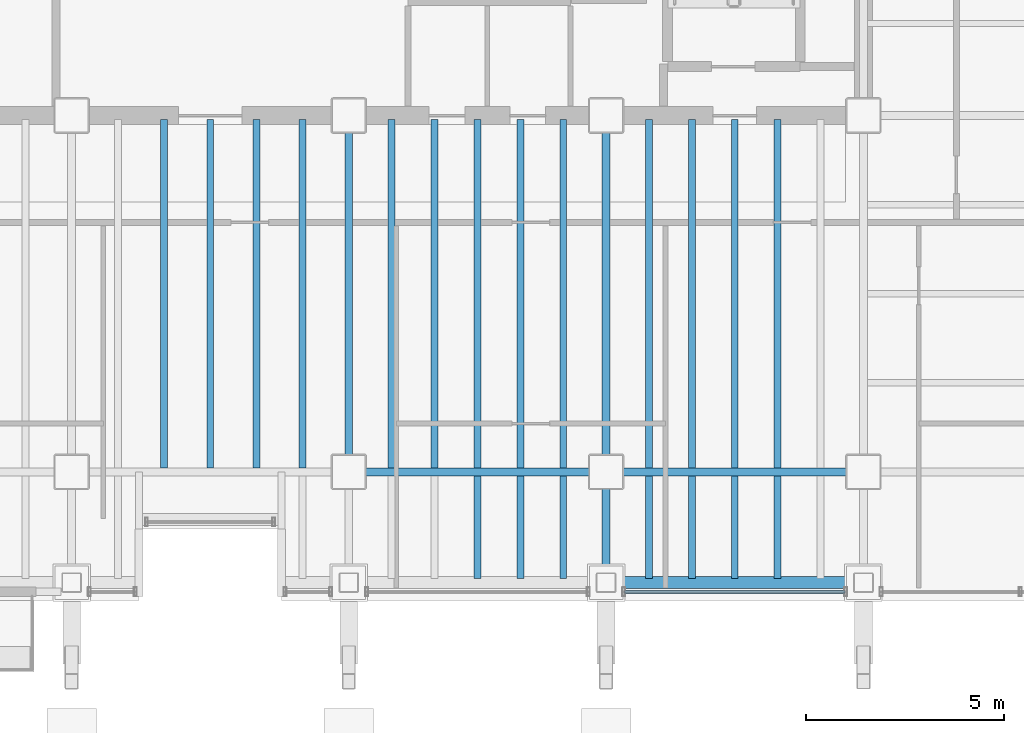
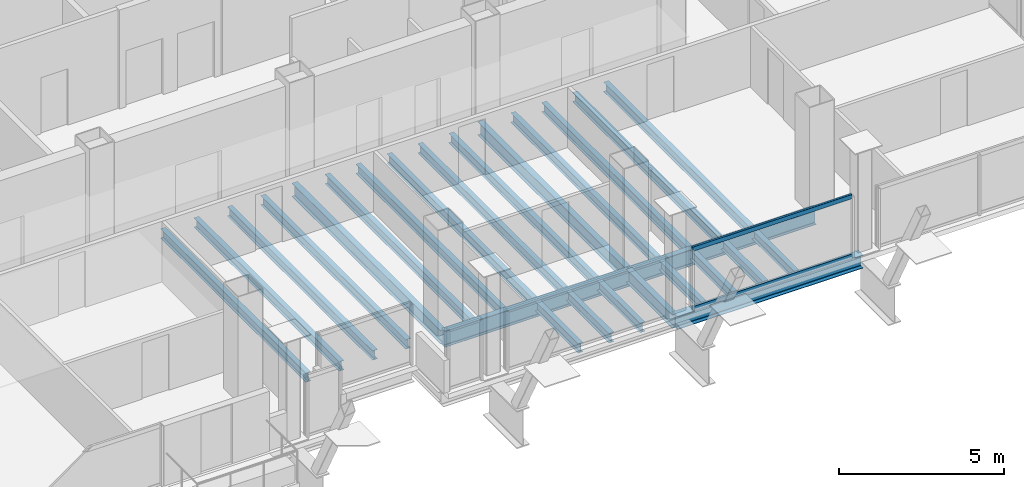
# One storey, part 5 of 16: 26 beams, 2 members, 1 element without a shape of its own.
"""IFC4 building model written with IfcOpenShell, lengths in metres."""

from ifc_helpers import new_model, si_unit, direction, frame, origin, origin_2d, place, context, subcontext, project, spatial, hollow_rectangle, i_section, extrude, material, material_profile, profile_set, type_object, element, aggregate, save


model = new_model("IFC4")

# Units and contexts
model_context = context("Model", 3, precision=1e-05, world=origin(), true_north=direction((0.0, 1.0)))
body_context = subcontext(model_context, "Body", "Model", "MODEL_VIEW")
ifc_project = project(units=[si_unit("LENGTHUNIT", "METRE"), si_unit("AREAUNIT", "SQUARE_METRE"), si_unit("VOLUMEUNIT", "CUBIC_METRE"), si_unit("PLANEANGLEUNIT", "RADIAN"), si_unit("MASSUNIT", "GRAM", prefix="KILO")], contexts=[model_context])

# Site, building, storey
site_placement = place(None, origin())
site = spatial("IfcSite", under=ifc_project, at=site_placement, CompositionType="ELEMENT")
building_placement = place(site_placement, origin())
building = spatial("IfcBuilding", under=site, at=building_placement, Name="Noeulbin Bourse Tower", CompositionType="ELEMENT")
storey_placement = place(building_placement, frame((0.0, 0.0, 192.89990234375)))
storey = spatial("IfcBuildingStorey", under=building, at=storey_placement, Name="L48", CompositionType="ELEMENT", Elevation=192.89990234375)

# Beams
ifc_material_1 = material(Name="Steel S355", Category="steel")
ifc_material_profile_1 = material_profile(ifc_material_1, i_section(OverallWidth=0.199951171875, OverallDepth=0.5, WebThickness=0.010009765625, FlangeThickness=0.01611328125, FilletRadius=0.02001953125, at=origin_2d()), Name="H-500x200x10x16", Category="LoadBearing")
ifc_profile_set_1 = profile_set([ifc_material_profile_1], Name="Steel S355")
beam_type_1 = type_object("IfcBeamType", Name="BM-GRD-500", PredefinedType="USERDEFINED", material=ifc_profile_set_1)
beam_1_placement = place(storey_placement, frame((31.0, 20.0, -0.429931640625), z_axis=(0.0, 1.0, 0.0), x_axis=(-1.0, 0.0, 0.0)))
element("IfcBeam", 1, at=beam_1_placement, inside=storey, type_object=beam_type_1, Name="Tower Primary Girder NS L48-3.2", ObjectType="GIRDER", PredefinedType="USERDEFINED", context=body_context, shape_type="SweptSolid", body=[
    extrude(i_section(OverallWidth=0.199951171875, OverallDepth=0.5, WebThickness=0.010009765625, FlangeThickness=0.01611328125, FilletRadius=0.02001953125, at=origin_2d()), origin(), (0.0, 0.0, 1.0), 9.0),
])
beam_2_placement = place(storey_placement, frame((37.5, 17.199951171875, -0.429931640625), z_axis=(0.0, 1.0, 0.0), x_axis=(-1.0, 0.0, 0.0)))
element("IfcBeam", 2, at=beam_2_placement, inside=storey, type_object=beam_type_1, Name="Tower Primary Girder NS L48-4.1", ObjectType="GIRDER", PredefinedType="USERDEFINED", context=body_context, shape_type="SweptSolid", body=[
    extrude(i_section(OverallWidth=0.199951171875, OverallDepth=0.5, WebThickness=0.010009765625, FlangeThickness=0.01611328125, FilletRadius=0.02001953125, at=origin_2d()), origin(), (0.0, 0.0, 1.0), 2.800048828125),
])
beam_3_placement = place(storey_placement, frame((37.5, 20.0, -0.429931640625), z_axis=(0.0, 1.0, 0.0), x_axis=(-1.0, 0.0, 0.0)))
element("IfcBeam", 3, at=beam_3_placement, inside=storey, type_object=beam_type_1, Name="Tower Primary Girder NS L48-4.2", ObjectType="GIRDER", PredefinedType="USERDEFINED", context=body_context, shape_type="SweptSolid", body=[
    extrude(i_section(OverallWidth=0.199951171875, OverallDepth=0.5, WebThickness=0.010009765625, FlangeThickness=0.01611328125, FilletRadius=0.02001953125, at=origin_2d()), origin(), (0.0, 0.0, 1.0), 9.0),
])
ifc_material_profile_2 = material_profile(ifc_material_1, i_section(OverallWidth=0.199951171875, OverallDepth=0.60009765625, WebThickness=0.010986328125, FlangeThickness=0.01708984375, FilletRadius=0.02197265625, at=origin_2d()), Name="H-600x200x11x17", Category="LoadBearing")
ifc_profile_set_2 = profile_set([ifc_material_profile_2], Name="Steel S355")
beam_type_2 = type_object("IfcBeamType", Name="BM-GRD-600", PredefinedType="USERDEFINED", material=ifc_profile_set_2)
for number, where, z_axis, x_axis, name in (
    (4, (31.0, 20.0, -0.47998046875), (1.0, 0.0, 0.0), (0.0, 1.0, 0.0), "Tower Primary Girder EW L48-1.4"),
    (5, (37.5, 20.0, -0.47998046875), (1.0, 0.0, 0.0), (0.0, 1.0, 0.0), "Tower Primary Girder EW L48-1.5"),
):
    element("IfcBeam", number, at=place(storey_placement, frame(where, z_axis=z_axis, x_axis=x_axis)), inside=storey, type_object=beam_type_2, Name=name, ObjectType="GIRDER", PredefinedType="USERDEFINED", context=body_context, shape_type="SweptSolid", body=[
        extrude(i_section(OverallWidth=0.199951171875, OverallDepth=0.60009765625, WebThickness=0.010986328125, FlangeThickness=0.01708984375, FilletRadius=0.02197265625, at=origin_2d()), origin(), (0.0, 0.0, 1.0), 6.5),
    ])
ifc_material_profile_3 = material_profile(ifc_material_1, i_section(OverallWidth=0.175048828125, OverallDepth=0.35009765625, WebThickness=0.007080078125, FlangeThickness=0.010986328125, FilletRadius=0.013916015625, at=origin_2d()), Name="H-350x175x7x11", Category="LoadBearing")
ifc_profile_set_3 = profile_set([ifc_material_profile_3], Name="Steel S355")
beam_type_3 = type_object("IfcBeamType", Name="BM-JST-350", PredefinedType="JOIST", material=ifc_profile_set_3)
for number, where, z_axis, x_axis, name in (
    (6, (26.333251953125, 20.10009765625, -0.35498046875), (0.0, 1.0, 0.0), (-1.0, 0.0, 0.0), "Tower Composite Joist L48-28"),
    (7, (27.5, 20.10009765625, -0.35498046875), (0.0, 1.0, 0.0), (-1.0, 0.0, 0.0), "Tower Composite Joist L48-30"),
    (8, (28.666748046875, 20.10009765625, -0.35498046875), (0.0, 1.0, 0.0), (-1.0, 0.0, 0.0), "Tower Composite Joist L48-32"),
    (9, (29.833251953125, 20.10009765625, -0.35498046875), (0.0, 1.0, 0.0), (-1.0, 0.0, 0.0), "Tower Composite Joist L48-35"),
    (10, (32.083251953125, 20.10009765625, -0.35498046875), (0.0, 1.0, 0.0), (-1.0, 0.0, 0.0), "Tower Composite Joist L48-38"),
    (11, (33.166748046875, 20.10009765625, -0.35498046875), (0.0, 1.0, 0.0), (-1.0, 0.0, 0.0), "Tower Composite Joist L48-41"),
):
    element("IfcBeam", number, at=place(storey_placement, frame(where, z_axis=z_axis, x_axis=x_axis)), inside=storey, type_object=beam_type_3, Name=name, PredefinedType="JOIST", context=body_context, shape_type="SweptSolid", body=[
        extrude(i_section(OverallWidth=0.175048828125, OverallDepth=0.35009765625, WebThickness=0.007080078125, FlangeThickness=0.010986328125, FilletRadius=0.013916015625, at=origin_2d()), origin(), (0.0, 0.0, 1.0), 8.7998046875),
    ])
beam_4_placement = place(storey_placement, frame((34.25, 17.300048828125, -0.35498046875), z_axis=(0.0, 1.0, 0.0), x_axis=(-1.0, 0.0, 0.0)))
element("IfcBeam", 12, at=beam_4_placement, inside=storey, type_object=beam_type_3, Name="Tower Composite Joist L48-43", PredefinedType="JOIST", context=body_context, shape_type="SweptSolid", body=[
    extrude(i_section(OverallWidth=0.175048828125, OverallDepth=0.35009765625, WebThickness=0.007080078125, FlangeThickness=0.010986328125, FilletRadius=0.013916015625, at=origin_2d()), origin(), (0.0, 0.0, 1.0), 2.599853515625),
])
beam_5_placement = place(storey_placement, frame((34.25, 20.10009765625, -0.35498046875), z_axis=(0.0, 1.0, 0.0), x_axis=(-1.0, 0.0, 0.0)))
element("IfcBeam", 13, at=beam_5_placement, inside=storey, type_object=beam_type_3, Name="Tower Composite Joist L48-44", PredefinedType="JOIST", context=body_context, shape_type="SweptSolid", body=[
    extrude(i_section(OverallWidth=0.175048828125, OverallDepth=0.35009765625, WebThickness=0.007080078125, FlangeThickness=0.010986328125, FilletRadius=0.013916015625, at=origin_2d()), origin(), (0.0, 0.0, 1.0), 8.7998046875),
])
beam_6_placement = place(storey_placement, frame((35.333251953125, 17.300048828125, -0.35498046875), z_axis=(0.0, 1.0, 0.0), x_axis=(-1.0, 0.0, 0.0)))
element("IfcBeam", 14, at=beam_6_placement, inside=storey, type_object=beam_type_3, Name="Tower Composite Joist L48-46", PredefinedType="JOIST", context=body_context, shape_type="SweptSolid", body=[
    extrude(i_section(OverallWidth=0.175048828125, OverallDepth=0.35009765625, WebThickness=0.007080078125, FlangeThickness=0.010986328125, FilletRadius=0.013916015625, at=origin_2d()), origin(), (0.0, 0.0, 1.0), 2.599853515625),
])
beam_7_placement = place(storey_placement, frame((35.333251953125, 20.10009765625, -0.35498046875), z_axis=(0.0, 1.0, 0.0), x_axis=(-1.0, 0.0, 0.0)))
element("IfcBeam", 15, at=beam_7_placement, inside=storey, type_object=beam_type_3, Name="Tower Composite Joist L48-47", PredefinedType="JOIST", context=body_context, shape_type="SweptSolid", body=[
    extrude(i_section(OverallWidth=0.175048828125, OverallDepth=0.35009765625, WebThickness=0.007080078125, FlangeThickness=0.010986328125, FilletRadius=0.013916015625, at=origin_2d()), origin(), (0.0, 0.0, 1.0), 8.7998046875),
])
beam_8_placement = place(storey_placement, frame((36.416748046875, 17.300048828125, -0.35498046875), z_axis=(0.0, 1.0, 0.0), x_axis=(-1.0, 0.0, 0.0)))
element("IfcBeam", 16, at=beam_8_placement, inside=storey, type_object=beam_type_3, Name="Tower Composite Joist L48-49", PredefinedType="JOIST", context=body_context, shape_type="SweptSolid", body=[
    extrude(i_section(OverallWidth=0.175048828125, OverallDepth=0.35009765625, WebThickness=0.007080078125, FlangeThickness=0.010986328125, FilletRadius=0.013916015625, at=origin_2d()), origin(), (0.0, 0.0, 1.0), 2.599853515625),
])
beam_9_placement = place(storey_placement, frame((36.416748046875, 20.10009765625, -0.35498046875), z_axis=(0.0, 1.0, 0.0), x_axis=(-1.0, 0.0, 0.0)))
element("IfcBeam", 17, at=beam_9_placement, inside=storey, type_object=beam_type_3, Name="Tower Composite Joist L48-50", PredefinedType="JOIST", context=body_context, shape_type="SweptSolid", body=[
    extrude(i_section(OverallWidth=0.175048828125, OverallDepth=0.35009765625, WebThickness=0.007080078125, FlangeThickness=0.010986328125, FilletRadius=0.013916015625, at=origin_2d()), origin(), (0.0, 0.0, 1.0), 8.7998046875),
])
beam_10_placement = place(storey_placement, frame((38.583251953125, 17.300048828125, -0.35498046875), z_axis=(0.0, 1.0, 0.0), x_axis=(-1.0, 0.0, 0.0)))
element("IfcBeam", 18, at=beam_10_placement, inside=storey, type_object=beam_type_3, Name="Tower Composite Joist L48-52", PredefinedType="JOIST", context=body_context, shape_type="SweptSolid", body=[
    extrude(i_section(OverallWidth=0.175048828125, OverallDepth=0.35009765625, WebThickness=0.007080078125, FlangeThickness=0.010986328125, FilletRadius=0.013916015625, at=origin_2d()), origin(), (0.0, 0.0, 1.0), 2.599853515625),
])
beam_11_placement = place(storey_placement, frame((38.583251953125, 20.10009765625, -0.35498046875), z_axis=(0.0, 1.0, 0.0), x_axis=(-1.0, 0.0, 0.0)))
element("IfcBeam", 19, at=beam_11_placement, inside=storey, type_object=beam_type_3, Name="Tower Composite Joist L48-53", PredefinedType="JOIST", context=body_context, shape_type="SweptSolid", body=[
    extrude(i_section(OverallWidth=0.175048828125, OverallDepth=0.35009765625, WebThickness=0.007080078125, FlangeThickness=0.010986328125, FilletRadius=0.013916015625, at=origin_2d()), origin(), (0.0, 0.0, 1.0), 8.7998046875),
])
beam_12_placement = place(storey_placement, frame((39.666748046875, 17.300048828125, -0.35498046875), z_axis=(0.0, 1.0, 0.0), x_axis=(-1.0, 0.0, 0.0)))
element("IfcBeam", 20, at=beam_12_placement, inside=storey, type_object=beam_type_3, Name="Tower Composite Joist L48-55", PredefinedType="JOIST", context=body_context, shape_type="SweptSolid", body=[
    extrude(i_section(OverallWidth=0.175048828125, OverallDepth=0.35009765625, WebThickness=0.007080078125, FlangeThickness=0.010986328125, FilletRadius=0.013916015625, at=origin_2d()), origin(), (0.0, 0.0, 1.0), 2.599853515625),
])
beam_13_placement = place(storey_placement, frame((39.666748046875, 20.10009765625, -0.35498046875), z_axis=(0.0, 1.0, 0.0), x_axis=(-1.0, 0.0, 0.0)))
element("IfcBeam", 21, at=beam_13_placement, inside=storey, type_object=beam_type_3, Name="Tower Composite Joist L48-56", PredefinedType="JOIST", context=body_context, shape_type="SweptSolid", body=[
    extrude(i_section(OverallWidth=0.175048828125, OverallDepth=0.35009765625, WebThickness=0.007080078125, FlangeThickness=0.010986328125, FilletRadius=0.013916015625, at=origin_2d()), origin(), (0.0, 0.0, 1.0), 8.7998046875),
])
beam_14_placement = place(storey_placement, frame((40.75, 17.300048828125, -0.35498046875), z_axis=(0.0, 1.0, 0.0), x_axis=(-1.0, 0.0, 0.0)))
element("IfcBeam", 22, at=beam_14_placement, inside=storey, type_object=beam_type_3, Name="Tower Composite Joist L48-58", PredefinedType="JOIST", context=body_context, shape_type="SweptSolid", body=[
    extrude(i_section(OverallWidth=0.175048828125, OverallDepth=0.35009765625, WebThickness=0.007080078125, FlangeThickness=0.010986328125, FilletRadius=0.013916015625, at=origin_2d()), origin(), (0.0, 0.0, 1.0), 2.599853515625),
])
beam_15_placement = place(storey_placement, frame((40.75, 20.10009765625, -0.35498046875), z_axis=(0.0, 1.0, 0.0), x_axis=(-1.0, 0.0, 0.0)))
element("IfcBeam", 23, at=beam_15_placement, inside=storey, type_object=beam_type_3, Name="Tower Composite Joist L48-59", PredefinedType="JOIST", context=body_context, shape_type="SweptSolid", body=[
    extrude(i_section(OverallWidth=0.175048828125, OverallDepth=0.35009765625, WebThickness=0.007080078125, FlangeThickness=0.010986328125, FilletRadius=0.013916015625, at=origin_2d()), origin(), (0.0, 0.0, 1.0), 8.7998046875),
])
beam_16_placement = place(storey_placement, frame((41.833251953125, 17.300048828125, -0.35498046875), z_axis=(0.0, 1.0, 0.0), x_axis=(-1.0, 0.0, 0.0)))
element("IfcBeam", 24, at=beam_16_placement, inside=storey, type_object=beam_type_3, Name="Tower Composite Joist L48-61", PredefinedType="JOIST", context=body_context, shape_type="SweptSolid", body=[
    extrude(i_section(OverallWidth=0.175048828125, OverallDepth=0.35009765625, WebThickness=0.007080078125, FlangeThickness=0.010986328125, FilletRadius=0.013916015625, at=origin_2d()), origin(), (0.0, 0.0, 1.0), 2.599853515625),
])
beam_17_placement = place(storey_placement, frame((41.833251953125, 20.10009765625, -0.35498046875), z_axis=(0.0, 1.0, 0.0), x_axis=(-1.0, 0.0, 0.0)))
element("IfcBeam", 25, at=beam_17_placement, inside=storey, type_object=beam_type_3, Name="Tower Composite Joist L48-62", PredefinedType="JOIST", context=body_context, shape_type="SweptSolid", body=[
    extrude(i_section(OverallWidth=0.175048828125, OverallDepth=0.35009765625, WebThickness=0.007080078125, FlangeThickness=0.010986328125, FilletRadius=0.013916015625, at=origin_2d()), origin(), (0.0, 0.0, 1.0), 8.7998046875),
])
ifc_material_profile_4 = material_profile(ifc_material_1, i_section(OverallWidth=0.300048828125, OverallDepth=0.488037109375, WebThickness=0.010986328125, FlangeThickness=0.01806640625, FilletRadius=0.02197265625, at=origin_2d()), Name="H-488x300x11x18", Category="LoadBearing")
ifc_profile_set_4 = profile_set([ifc_material_profile_4], Name="Steel S355")
beam_type_4 = type_object("IfcBeamType", Name="BM-SPN-488", PredefinedType="SPANDREL", material=ifc_profile_set_4)
beam_18_placement = place(storey_placement, frame((37.5, 17.199951171875, -0.423828125), z_axis=(1.0, 0.0, 0.0), x_axis=(0.0, 1.0, 0.0)))
element("IfcBeam", 26, at=beam_18_placement, inside=storey, type_object=beam_type_4, Name="South Spandrel L48-4", PredefinedType="SPANDREL", context=body_context, shape_type="SweptSolid", body=[
    extrude(i_section(OverallWidth=0.300048828125, OverallDepth=0.488037109375, WebThickness=0.010986328125, FlangeThickness=0.01806640625, FilletRadius=0.02197265625, at=origin_2d()), origin(), (0.0, 0.0, 1.0), 6.5),
])

# Curtain wall, members
ifc_material_2 = material(Name="Dark Tinted Triple Glazing", Category="glass")
curtain_wall_type = type_object("IfcCurtainWallType", Name="CW-SYS-3", PredefinedType="NOTDEFINED", material=ifc_material_2)
curtain_wall_placement = place(storey_placement, origin())
curtain_wall = element("IfcCurtainWall", 27, at=curtain_wall_placement, inside=storey, type_object=curtain_wall_type, Name="Unitised Curtain Wall CW-L48-S3-S3", PredefinedType="NOTDEFINED")
ifc_material_3 = material(Name="Anodised Aluminium 6063-T6", Category="aluminium")
ifc_material_profile_5 = material_profile(ifc_material_3, hollow_rectangle(XDim=0.074951171875, YDim=0.159912109375, WallThickness=0.0048828125, InnerFilletRadius=0.00244140625, OuterFilletRadius=0.0048828125, at=origin_2d()), Name="ALU-TRAN-75x160x5", Category="LoadBearing")
ifc_profile_set_5 = profile_set([ifc_material_profile_5], Name="Anodised Aluminium 6063-T6")
member_type = type_object("IfcMemberType", Name="CW-SYS-3-TRN", PredefinedType="USERDEFINED", material=ifc_profile_set_5)
member_1_placement = place(storey_placement, frame((37.9599609375, 16.969970703125, 0.010009765625), z_axis=(1.0, 0.0, 0.0), x_axis=(0.0, 1.0, 0.0)))
member_1 = element("IfcMember", 28, at=member_1_placement, type_object=member_type, Name="Curtain Wall Transom CW-L48-S3-S3-T00", ObjectType="TRANSOM", PredefinedType="USERDEFINED", context=body_context, shape_type="SweptSolid", body=[
    extrude(hollow_rectangle(XDim=0.074951171875, YDim=0.159912109375, WallThickness=0.0048828125, InnerFilletRadius=0.00244140625, OuterFilletRadius=0.0048828125, at=origin_2d()), origin(), (0.0, 0.0, 1.0), 5.580078125),
])
member_2_placement = place(storey_placement, frame((37.9599609375, 16.969970703125, 2.210205078125), z_axis=(1.0, 0.0, 0.0), x_axis=(0.0, 1.0, 0.0)))
member_2 = element("IfcMember", 29, at=member_2_placement, type_object=member_type, Name="Curtain Wall Transom CW-L48-S3-S3-T01", ObjectType="TRANSOM", PredefinedType="USERDEFINED", context=body_context, shape_type="SweptSolid", body=[
    extrude(hollow_rectangle(XDim=0.074951171875, YDim=0.159912109375, WallThickness=0.0048828125, InnerFilletRadius=0.00244140625, OuterFilletRadius=0.0048828125, at=origin_2d()), origin(), (0.0, 0.0, 1.0), 5.580078125),
])
aggregate(curtain_wall, [member_1, member_2])

save(model, "model.ifc")
